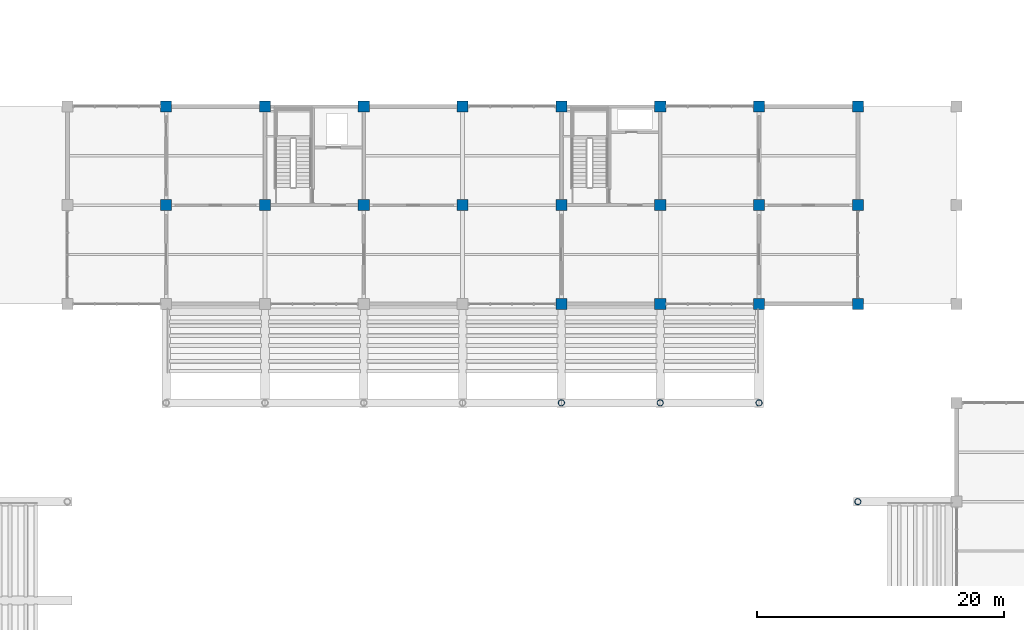
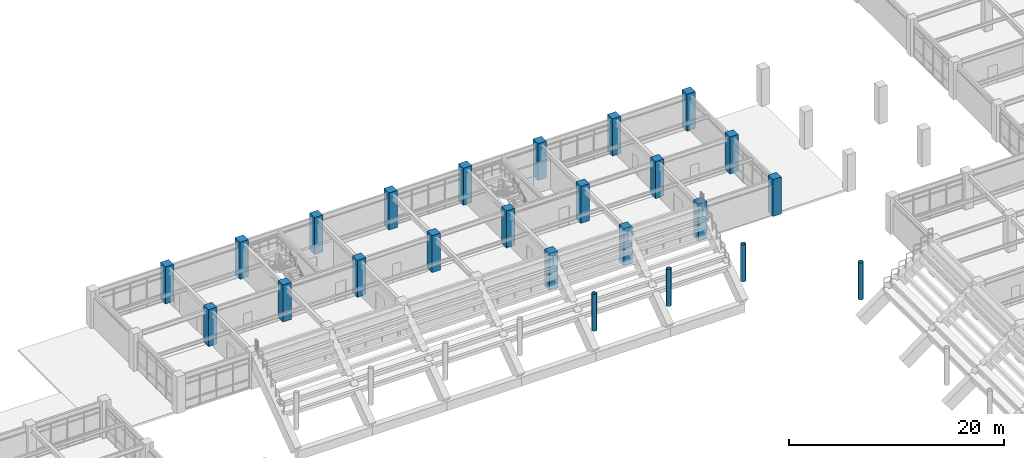
# One storey, part 13 of 118: 24 columns.
"""IFC4 building model written with IfcOpenShell, lengths in metres."""

from ifc_helpers import new_model, si_unit, direction, frame, origin, origin_2d, place, context, subcontext, project, spatial, rectangle, hollow_circle, extrude, material, material_profile, profile_set, type_object, element, save


model = new_model("IFC4")

# Units and contexts
model_context = context("Model", 3, precision=1e-05, world=origin(), true_north=direction((0.0, 1.0)))
body_context = subcontext(model_context, "Body", "Model", "MODEL_VIEW")
ifc_project = project(units=[si_unit("LENGTHUNIT", "METRE"), si_unit("AREAUNIT", "SQUARE_METRE"), si_unit("VOLUMEUNIT", "CUBIC_METRE"), si_unit("PLANEANGLEUNIT", "RADIAN"), si_unit("MASSUNIT", "GRAM", prefix="KILO")], contexts=[model_context])

# Site, building, storey
site_placement = place(None, origin())
site = spatial("IfcSite", under=ifc_project, at=site_placement, CompositionType="ELEMENT")
building_placement = place(site_placement, origin())
building = spatial("IfcBuilding", under=site, at=building_placement, Name="Haebicheon Civic Stadium", CompositionType="ELEMENT")
storey_placement = place(building_placement, frame((0.0, 0.0, 14.39990234375)))
storey = spatial("IfcBuildingStorey", under=building, at=storey_placement, Name="L04", CompositionType="ELEMENT", Elevation=14.39990234375)

# Columns
ifc_material_1 = material(Name="Concrete C40/50", Category="concrete")
ifc_material_profile_1 = material_profile(ifc_material_1, rectangle(XDim=0.89990234375, YDim=0.89990234375, at=origin_2d()), Name="RC-COL-900x900")
ifc_profile_set_1 = profile_set([ifc_material_profile_1], Name="Concrete C40/50")
column_type_1 = type_object("IfcColumnType", Name="COL-RC-900", PredefinedType="COLUMN", material=ifc_profile_set_1)
for number, where, z_axis, x_axis, name in (
    (1, (80.0, 160.0, 0.0), (0.0, 0.0, 1.0), (1.0, 0.0, 0.0), "L04 column 11/W"),
    (2, (80.0, 168.0, 0.0), (0.0, 0.0, 1.0), (1.0, 0.0, 0.0), "L04 column 11/X"),
    (3, (88.0, 160.0, 0.0), (0.0, 0.0, 1.0), (1.0, 0.0, 0.0), "L04 column 12/W"),
    (4, (88.0, 168.0, 0.0), (0.0, 0.0, 1.0), (1.0, 0.0, 0.0), "L04 column 12/X"),
    (5, (96.0, 160.0, 0.0), (0.0, 0.0, 1.0), (1.0, 0.0, 0.0), "L04 column 13/W"),
    (6, (96.0, 168.0, 0.0), (0.0, 0.0, 1.0), (1.0, 0.0, 0.0), "L04 column 13/X"),
    (7, (104.0, 160.0, 0.0), (0.0, 0.0, 1.0), (1.0, 0.0, 0.0), "L04 column 14/W"),
    (8, (104.0, 168.0, 0.0), (0.0, 0.0, 1.0), (1.0, 0.0, 0.0), "L04 column 14/X"),
    (9, (112.0, 152.0, 0.0), (0.0, 0.0, 1.0), (1.0, 0.0, 0.0), "L04 column 15/V"),
    (10, (112.0, 160.0, 0.0), (0.0, 0.0, 1.0), (1.0, 0.0, 0.0), "L04 column 15/W"),
    (11, (112.0, 168.0, 0.0), (0.0, 0.0, 1.0), (1.0, 0.0, 0.0), "L04 column 15/X"),
    (12, (120.0, 152.0, 0.0), (0.0, 0.0, 1.0), (1.0, 0.0, 0.0), "L04 column 16/V"),
    (13, (120.0, 160.0, 0.0), (0.0, 0.0, 1.0), (1.0, 0.0, 0.0), "L04 column 16/W"),
    (14, (120.0, 168.0, 0.0), (0.0, 0.0, 1.0), (1.0, 0.0, 0.0), "L04 column 16/X"),
    (15, (128.0, 152.0, 0.0), (0.0, 0.0, 1.0), (1.0, 0.0, 0.0), "L04 column 17/V"),
    (16, (128.0, 160.0, 0.0), (0.0, 0.0, 1.0), (1.0, 0.0, 0.0), "L04 column 17/W"),
    (17, (128.0, 168.0, 0.0), (0.0, 0.0, 1.0), (1.0, 0.0, 0.0), "L04 column 17/X"),
    (18, (136.0, 152.0, 0.0), (0.0, 0.0, 1.0), (1.0, 0.0, 0.0), "L04 column 18/V"),
    (19, (136.0, 160.0, 0.0), (0.0, 0.0, 1.0), (1.0, 0.0, 0.0), "L04 column 18/W"),
    (20, (136.0, 168.0, 0.0), (0.0, 0.0, 1.0), (1.0, 0.0, 0.0), "L04 column 18/X"),
):
    element("IfcColumn", number, at=place(storey_placement, frame(where, z_axis=z_axis, x_axis=x_axis)), inside=storey, type_object=column_type_1, material=ifc_profile_set_1, Name=name, PredefinedType="COLUMN", context=body_context, shape_type="SweptSolid", body=[
        extrude(rectangle(XDim=0.89990234375, YDim=0.89990234375, at=origin_2d()), origin(), (0.0, 0.0, 1.0), 4.2001953125),
    ])
ifc_material_2 = material(Name="White painted steel SM490", Category="steel")
ifc_material_profile_2 = material_profile(ifc_material_2, hollow_circle(Radius=0.25390625, WallThickness=0.02490234375, at=origin_2d()), Name="CHS-508.0x25.0")
ifc_profile_set_2 = profile_set([ifc_material_profile_2], Name="White painted steel SM490")
column_type_2 = type_object("IfcColumnType", Name="COL-ST-CHS508", PredefinedType="COLUMN", material=ifc_profile_set_2)
for number, where, z_axis, x_axis, name in (
    (21, (136.0, 136.0, 0.0), (0.0, 0.0, 1.0), (1.0, 0.0, 0.0), "Bowl/canopy support column 136/136 (L04)"),
    (22, (112.0, 144.0, 0.0), (0.0, 0.0, 1.0), (1.0, 0.0, 0.0), "Bowl/canopy support column 112/144 (L04)"),
    (23, (120.0, 144.0, 0.0), (0.0, 0.0, 1.0), (1.0, 0.0, 0.0), "Bowl/canopy support column 120/144 (L04)"),
    (24, (128.0, 144.0, 0.0), (0.0, 0.0, 1.0), (1.0, 0.0, 0.0), "Bowl/canopy support column 128/144 (L04)"),
):
    element("IfcColumn", number, at=place(storey_placement, frame(where, z_axis=z_axis, x_axis=x_axis)), inside=storey, type_object=column_type_2, material=ifc_profile_set_2, Name=name, PredefinedType="COLUMN", context=body_context, shape_type="SweptSolid", body=[
        extrude(hollow_circle(Radius=0.25390625, WallThickness=0.02490234375, at=origin_2d()), origin(), (0.0, 0.0, 1.0), 4.2001953125),
    ])

save(model, "model.ifc")
